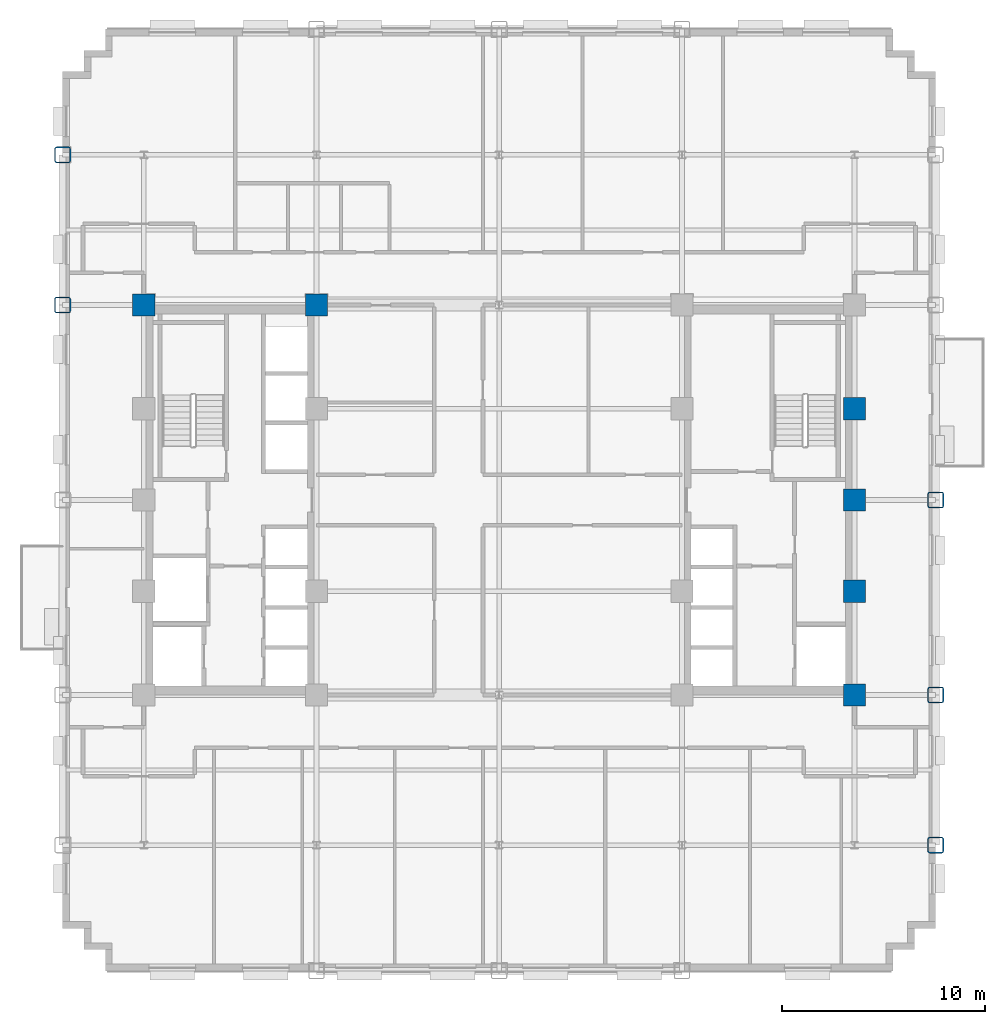
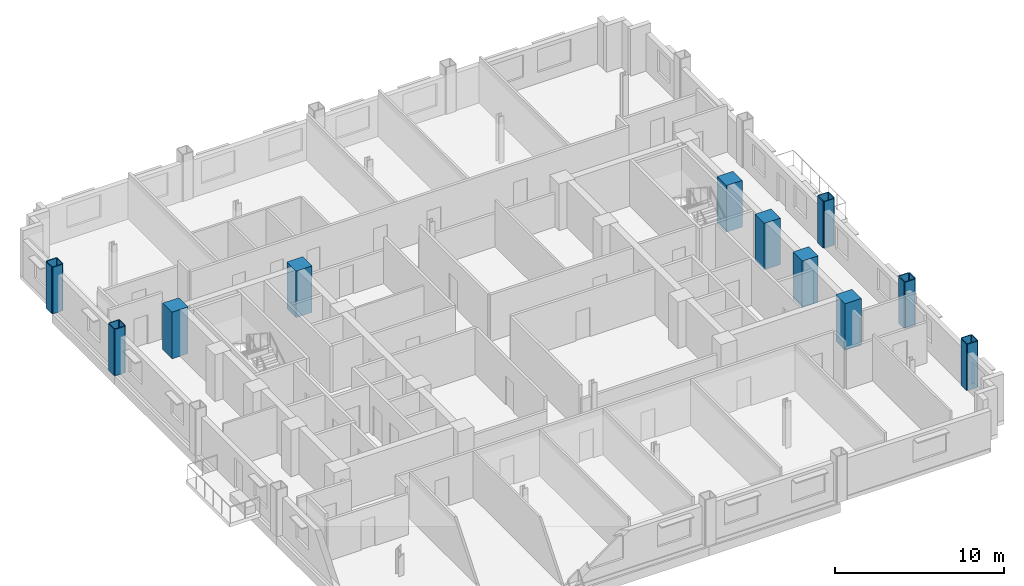
# One storey, part 2 of 14: 11 columns.
"""IFC4 building model written with IfcOpenShell, lengths in metres."""

from ifc_helpers import new_model, si_unit, direction, frame, origin, origin_2d, place, context, subcontext, project, spatial, rectangle, hollow_rectangle, extrude, material, material_profile, profile_set, type_object, element, save


model = new_model("IFC4")

# Units and contexts
model_context = context("Model", 3, precision=1e-05, world=origin(), true_north=direction((0.0, 1.0)))
body_context = subcontext(model_context, "Body", "Model", "MODEL_VIEW")
ifc_project = project(units=[si_unit("LENGTHUNIT", "METRE"), si_unit("AREAUNIT", "SQUARE_METRE"), si_unit("VOLUMEUNIT", "CUBIC_METRE"), si_unit("PLANEANGLEUNIT", "RADIAN"), si_unit("MASSUNIT", "GRAM", prefix="KILO")], contexts=[model_context])

# Site, building, storey
site_placement = place(None, origin())
site = spatial("IfcSite", under=ifc_project, at=site_placement, CompositionType="ELEMENT")
building_placement = place(site_placement, origin())
building = spatial("IfcBuilding", under=site, at=building_placement, Name="Nuvemarco Arch Tower", CompositionType="ELEMENT")
storey_placement = place(building_placement, frame((0.0, 0.0, 75.050048828125)))
storey = spatial("IfcBuildingStorey", under=building, at=storey_placement, Name="L19", CompositionType="ELEMENT", Elevation=75.050048828125)

# Columns
ifc_material_1 = material(Name="Concrete C60/75", Category="concrete")
ifc_material_profile_1 = material_profile(ifc_material_1, rectangle(XDim=1.10009765625, YDim=1.10009765625, at=origin_2d()), Name="RC-COL-1100x1100")
ifc_profile_set_1 = profile_set([ifc_material_profile_1], Name="Concrete C60/75")
column_type_1 = type_object("IfcColumnType", Name="COL-CORE-1100", PredefinedType="COLUMN", material=ifc_profile_set_1)
for number, where, z_axis, x_axis, name in (
    (1, (-17.5, 9.60009765625, 0.0), (0.0, 0.0, 1.0), (1.0, 0.0, 0.0), "L19 column CC_-17.5_+9.6"),
    (2, (-9.0, 9.60009765625, 0.0), (0.0, 0.0, 1.0), (1.0, 0.0, 0.0), "L19 column CC_-9.0_+9.6"),
    (3, (17.5, -9.60009765625, 0.0), (0.0, 0.0, 1.0), (1.0, 0.0, 0.0), "L19 column CC_+17.5_-9.6"),
    (4, (17.5, -4.5, 0.0), (0.0, 0.0, 1.0), (1.0, 0.0, 0.0), "L19 column CC_+17.5_-4.5"),
    (5, (17.5, 4.5, 0.0), (0.0, 0.0, 1.0), (1.0, 0.0, 0.0), "L19 column CC_+17.5_+4.5"),
    (6, (17.5, 0.0, 0.0), (0.0, 0.0, 1.0), (1.0, 0.0, 0.0), "L19 column CC_+17.5_+0.0"),
):
    element("IfcColumn", number, at=place(storey_placement, frame(where, z_axis=z_axis, x_axis=x_axis)), inside=storey, type_object=column_type_1, Name=name, PredefinedType="COLUMN", context=body_context, shape_type="SweptSolid", body=[
        extrude(rectangle(XDim=1.10009765625, YDim=1.10009765625, at=origin_2d()), origin(), (0.0, 0.0, 1.0), 3.369873046875),
    ])
ifc_material_2 = material(Name="Steel S460", Category="steel")
ifc_material_profile_2 = material_profile(ifc_material_2, hollow_rectangle(XDim=0.800048828125, YDim=0.800048828125, WallThickness=0.054931640625, InnerFilletRadius=0.054931640625, OuterFilletRadius=0.110107421875, at=origin_2d()), Name="SHS800x800x55")
ifc_profile_set_2 = profile_set([ifc_material_profile_2], Name="Steel S460")
column_type_2 = type_object("IfcColumnType", Name="COL-EXO-800", PredefinedType="COLUMN", material=ifc_profile_set_2)
for number, where, z_axis, x_axis, name in (
    (7, (-21.5, 9.60009765625, 0.0), (0.0, 0.0, 1.0), (1.0, 0.0, 0.0), "L19 column CX_-21.5_+9.6"),
    (8, (-21.5, 17.0, 0.0), (0.0, 0.0, 1.0), (1.0, 0.0, 0.0), "L19 column CX_-21.5_+17.0"),
    (9, (21.5, -17.0, 0.0), (0.0, 0.0, 1.0), (1.0, 0.0, 0.0), "L19 column CX_+21.5_-17.0"),
    (10, (21.5, -9.60009765625, 0.0), (0.0, 0.0, 1.0), (1.0, 0.0, 0.0), "L19 column CX_+21.5_-9.6"),
    (11, (21.5, 0.0, 0.0), (0.0, 0.0, 1.0), (1.0, 0.0, 0.0), "L19 column CX_+21.5_+0.0"),
):
    element("IfcColumn", number, at=place(storey_placement, frame(where, z_axis=z_axis, x_axis=x_axis)), inside=storey, type_object=column_type_2, Name=name, PredefinedType="COLUMN", context=body_context, shape_type="SweptSolid", body=[
        extrude(hollow_rectangle(XDim=0.800048828125, YDim=0.800048828125, WallThickness=0.054931640625, InnerFilletRadius=0.054931640625, OuterFilletRadius=0.110107421875, at=origin_2d()), origin(), (0.0, 0.0, 1.0), 3.369873046875),
    ])

save(model, "model.ifc")
